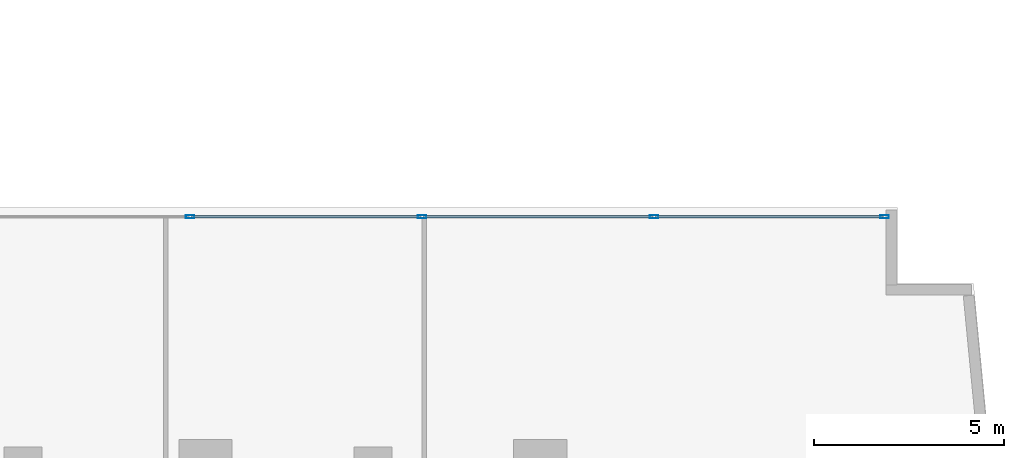
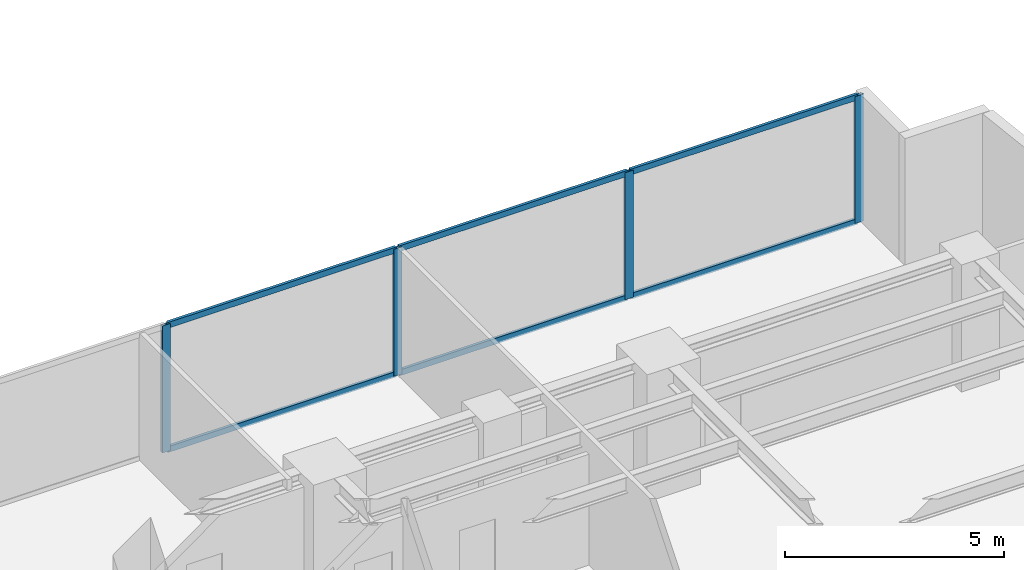
# One storey, part 14 of 27: 10 members, 1 element without a shape of its own.
"""IFC4 building model written with IfcOpenShell, lengths in metres."""

from ifc_helpers import new_model, si_unit, direction, frame, origin, origin_with_axes, origin_2d, place, context, subcontext, project, spatial, hollow_rectangle, extrude, source, transform, mapped, material, layer, layer_set, material_profile, profile_set, type_object, element, aggregate, save


model = new_model("IFC4")

# Units and contexts
model_context = context("Model", 3, precision=1e-05, world=origin(), true_north=direction((0.0, 1.0)))
body_context = subcontext(model_context, "Body", "Model", "MODEL_VIEW")
ifc_project = project(units=[si_unit("LENGTHUNIT", "METRE"), si_unit("AREAUNIT", "SQUARE_METRE"), si_unit("VOLUMEUNIT", "CUBIC_METRE"), si_unit("PLANEANGLEUNIT", "RADIAN"), si_unit("MASSUNIT", "GRAM", prefix="KILO")], contexts=[model_context])

# Site, building, storey
site_placement = place(None, origin())
site = spatial("IfcSite", under=ifc_project, at=site_placement, CompositionType="ELEMENT")
building_placement = place(site_placement, origin())
building = spatial("IfcBuilding", under=site, at=building_placement, Name="Kolvaren Waterfront Exchange", CompositionType="ELEMENT")
storey_placement = place(building_placement, frame((0.0, 0.0, 118.300048828125)))
storey = spatial("IfcBuildingStorey", under=building, at=storey_placement, Name="L30", CompositionType="ELEMENT", Elevation=118.300048828125)

# Curtain wall, members
ifc_material_1 = material(Name="Anodised bronze aluminium 6063-T6", Category="aluminium")
ifc_layer = layer(ifc_material_1, 0.219970703125, Name="Anodised bronze aluminium 6063-T6")
ifc_layer_set = layer_set([ifc_layer], Name="Anodised bronze aluminium 6063-T6")
curtain_wall_type = type_object("IfcCurtainWallType", Name="ARC-CW-SYS1", PredefinedType="USERDEFINED", material=ifc_layer_set)
curtain_wall_placement = place(storey_placement, origin())
curtain_wall = element("IfcCurtainWall", 1, at=curtain_wall_placement, inside=storey, type_object=curtain_wall_type, Name="L30 stick curtain wall CW1 (CW-L30-EN)", ObjectType="STICK CURTAIN WALL", PredefinedType="USERDEFINED")
ifc_material_2 = material(Name="Anodised aluminium 6063-T6", Category="aluminium")
ifc_material_profile_1 = material_profile(ifc_material_2, hollow_rectangle(XDim=0.080078125, YDim=0.219970703125, WallThickness=0.0048828125, at=origin_2d()), Name="ALU-MUL-220x80x5")
ifc_profile_set_1 = profile_set([ifc_material_profile_1], Name="Anodised aluminium 6063-T6")
member_type_1 = type_object("IfcMemberType", Name="ARC-CWM-220", PredefinedType="MULLION", material=ifc_profile_set_1)
shared_shape_1 = source(origin_with_axes(), body_context, "Body", "SweptSolid", [
    extrude(hollow_rectangle(XDim=0.080078125, YDim=0.219970703125, WallThickness=0.0048828125, at=origin_2d()), origin(), (0.0, 0.0, 1.0), 3.5400390625),
])
member_1_placement = place(storey_placement, frame((36.392578125, 23.9599609375, 0.0), z_axis=(0.0, 0.0, 1.0), x_axis=(0.0, 1.0, 0.0)))
member_1 = element("IfcMember", 2, at=member_1_placement, type_object=member_type_1, Name="CW1 mullion 2", PredefinedType="MULLION", context=body_context, shape_type="MappedRepresentation", body=[
    mapped(shared_shape_1, transform((0.0, 0.0, 0.0), x_axis=(1.0, 0.0, 0.0), y_axis=(0.0, 1.0, 0.0), z_axis=(0.0, 0.0, 1.0), scale=1.0)),
])
member_2_placement = place(storey_placement, frame((42.4951171875, 23.9599609375, 0.0), z_axis=(0.0, 0.0, 1.0), x_axis=(0.0, 1.0, 0.0)))
member_2 = element("IfcMember", 3, at=member_2_placement, type_object=member_type_1, Name="CW1 mullion 3", PredefinedType="MULLION", context=body_context, shape_type="MappedRepresentation", body=[
    mapped(shared_shape_1, transform((0.0, 0.0, 0.0), x_axis=(1.0, 0.0, 0.0), y_axis=(0.0, 1.0, 0.0), z_axis=(0.0, 0.0, 1.0), scale=1.0)),
])
member_3_placement = place(storey_placement, frame((48.597412109375, 23.9599609375, 0.0), z_axis=(0.0, 0.0, 1.0), x_axis=(0.0, 1.0, 0.0)))
member_3 = element("IfcMember", 4, at=member_3_placement, type_object=member_type_1, Name="CW1 mullion 4", PredefinedType="MULLION", context=body_context, shape_type="MappedRepresentation", body=[
    mapped(shared_shape_1, transform((0.0, 0.0, 0.0), x_axis=(1.0, 0.0, 0.0), y_axis=(0.0, 1.0, 0.0), z_axis=(0.0, 0.0, 1.0), scale=1.0)),
])
member_4_placement = place(storey_placement, frame((54.659912109375, 23.9599609375, 0.0), z_axis=(0.0, 0.0, 1.0), x_axis=(0.0, 1.0, 0.0)))
member_4 = element("IfcMember", 5, at=member_4_placement, type_object=member_type_1, Name="CW1 mullion 5", PredefinedType="MULLION", context=body_context, shape_type="MappedRepresentation", body=[
    mapped(shared_shape_1, transform((0.0, 0.0, 0.0), x_axis=(1.0, 0.0, 0.0), y_axis=(0.0, 1.0, 0.0), z_axis=(0.0, 0.0, 1.0), scale=1.0)),
])
ifc_material_profile_2 = material_profile(ifc_material_2, hollow_rectangle(XDim=0.074951171875, YDim=0.159912109375, WallThickness=0.00439453125, at=origin_2d()), Name="ALU-TRN-160x75x4.5")
ifc_profile_set_2 = profile_set([ifc_material_profile_2], Name="Anodised aluminium 6063-T6")
member_type_2 = type_object("IfcMemberType", Name="ARC-CWT-160", PredefinedType="USERDEFINED", material=ifc_profile_set_2)
shared_shape_2 = source(origin_with_axes(), body_context, "Body", "SweptSolid", [
    extrude(hollow_rectangle(XDim=0.074951171875, YDim=0.159912109375, WallThickness=0.00439453125, at=origin_2d()), origin(), (0.0, 0.0, 1.0), 6.0224609375),
])
member_5_placement = place(storey_placement, frame((36.4326171875, 23.9599609375, 0.037353515625), z_axis=(1.0, 0.0, 0.0), x_axis=(0.0, 1.0, 0.0)))
member_5 = element("IfcMember", 6, at=member_5_placement, type_object=member_type_2, Name="CW1 transom 2.1", ObjectType="TRANSOM", PredefinedType="USERDEFINED", context=body_context, shape_type="MappedRepresentation", body=[
    mapped(shared_shape_2, transform((0.0, 0.0, 0.0), x_axis=(1.0, 0.0, 0.0), y_axis=(0.0, 1.0, 0.0), z_axis=(0.0, 0.0, 1.0), scale=1.0)),
])
member_6_placement = place(storey_placement, frame((36.4326171875, 23.9599609375, 3.50244140625), z_axis=(1.0, 0.0, 0.0), x_axis=(0.0, 1.0, 0.0)))
member_6 = element("IfcMember", 7, at=member_6_placement, type_object=member_type_2, Name="CW1 transom 2.2", ObjectType="TRANSOM", PredefinedType="USERDEFINED", context=body_context, shape_type="MappedRepresentation", body=[
    mapped(shared_shape_2, transform((0.0, 0.0, 0.0), x_axis=(1.0, 0.0, 0.0), y_axis=(0.0, 1.0, 0.0), z_axis=(0.0, 0.0, 1.0), scale=1.0)),
])
shared_shape_3 = source(origin_with_axes(), body_context, "Body", "SweptSolid", [
    extrude(hollow_rectangle(XDim=0.074951171875, YDim=0.159912109375, WallThickness=0.00439453125, at=origin_2d()), origin(), (0.0, 0.0, 1.0), 6.022705078125),
])
member_7_placement = place(storey_placement, frame((42.534912109375, 23.9599609375, 0.037353515625), z_axis=(1.0, 0.0, 0.0), x_axis=(0.0, 1.0, 0.0)))
member_7 = element("IfcMember", 8, at=member_7_placement, type_object=member_type_2, Name="CW1 transom 3.1", ObjectType="TRANSOM", PredefinedType="USERDEFINED", context=body_context, shape_type="MappedRepresentation", body=[
    mapped(shared_shape_3, transform((0.0, 0.0, 0.0), x_axis=(1.0, 0.0, 0.0), y_axis=(0.0, 1.0, 0.0), z_axis=(0.0, 0.0, 1.0), scale=1.0)),
])
member_8_placement = place(storey_placement, frame((42.534912109375, 23.9599609375, 3.50244140625), z_axis=(1.0, 0.0, 0.0), x_axis=(0.0, 1.0, 0.0)))
member_8 = element("IfcMember", 9, at=member_8_placement, type_object=member_type_2, Name="CW1 transom 3.2", ObjectType="TRANSOM", PredefinedType="USERDEFINED", context=body_context, shape_type="MappedRepresentation", body=[
    mapped(shared_shape_3, transform((0.0, 0.0, 0.0), x_axis=(1.0, 0.0, 0.0), y_axis=(0.0, 1.0, 0.0), z_axis=(0.0, 0.0, 1.0), scale=1.0)),
])
shared_shape_4 = source(origin_with_axes(), body_context, "Body", "SweptSolid", [
    extrude(hollow_rectangle(XDim=0.074951171875, YDim=0.159912109375, WallThickness=0.00439453125, at=origin_2d()), origin(), (0.0, 0.0, 1.0), 5.982666015625),
])
member_9_placement = place(storey_placement, frame((48.637451171875, 23.9599609375, 0.037353515625), z_axis=(1.0, 0.0, 0.0), x_axis=(0.0, 1.0, 0.0)))
member_9 = element("IfcMember", 10, at=member_9_placement, type_object=member_type_2, Name="CW1 transom 4.1", ObjectType="TRANSOM", PredefinedType="USERDEFINED", context=body_context, shape_type="MappedRepresentation", body=[
    mapped(shared_shape_4, transform((0.0, 0.0, 0.0), x_axis=(1.0, 0.0, 0.0), y_axis=(0.0, 1.0, 0.0), z_axis=(0.0, 0.0, 1.0), scale=1.0)),
])
member_10_placement = place(storey_placement, frame((48.637451171875, 23.9599609375, 3.50244140625), z_axis=(1.0, 0.0, 0.0), x_axis=(0.0, 1.0, 0.0)))
member_10 = element("IfcMember", 11, at=member_10_placement, type_object=member_type_2, Name="CW1 transom 4.2", ObjectType="TRANSOM", PredefinedType="USERDEFINED", context=body_context, shape_type="MappedRepresentation", body=[
    mapped(shared_shape_4, transform((0.0, 0.0, 0.0), x_axis=(1.0, 0.0, 0.0), y_axis=(0.0, 1.0, 0.0), z_axis=(0.0, 0.0, 1.0), scale=1.0)),
])
aggregate(curtain_wall, [member_1, member_2, member_3, member_4, member_5, member_6, member_7, member_8, member_9, member_10])

save(model, "model.ifc")
